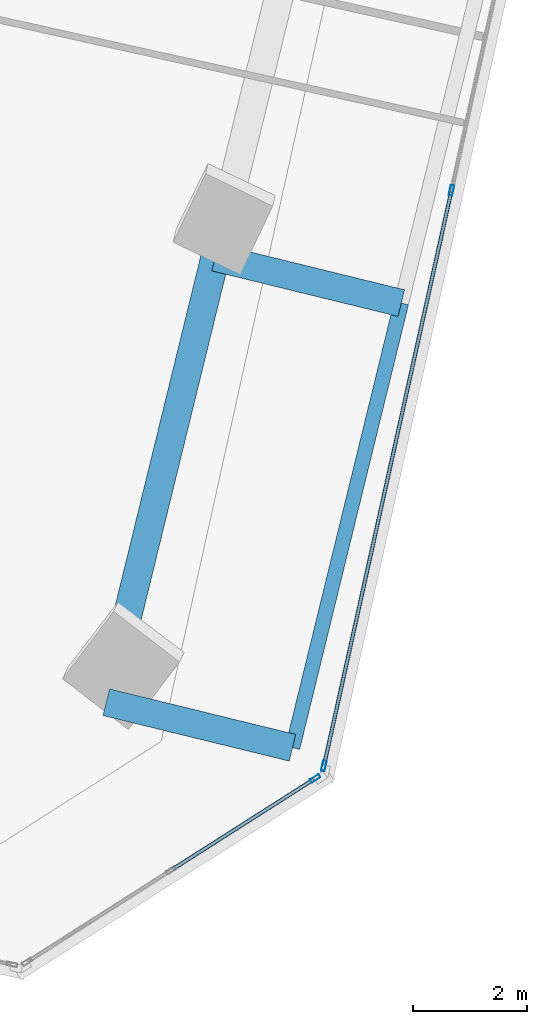
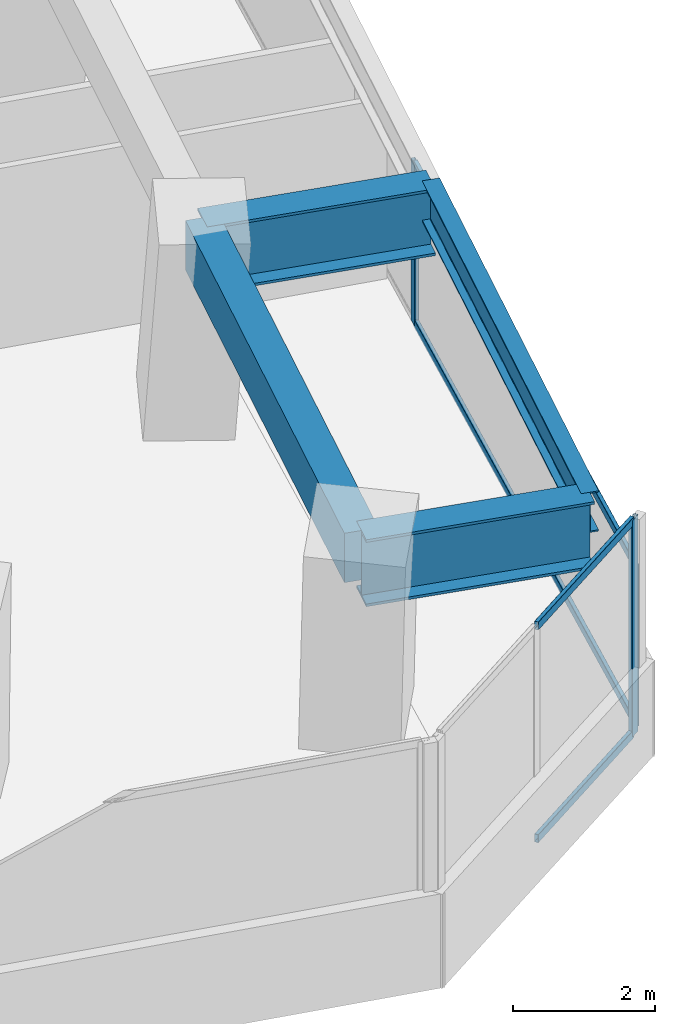
# One storey, part 10 of 25: 7 members, 4 beams, 2 elements without a shape of their own.
"""IFC4 building model written with IfcOpenShell, lengths in metres."""

from ifc_helpers import new_model, si_unit, direction, frame, origin, origin_2d, place, context, subcontext, project, spatial, rectangle, hollow_rectangle, i_section, extrude, source, transform, mapped, material, material_profile, profile_set, type_object, element, aggregate, save


model = new_model("IFC4")

# Units and contexts
model_context = context("Model", 3, precision=1e-05, world=origin(), true_north=direction((0.0, 1.0)))
body_context = subcontext(model_context, "Body", "Model", "MODEL_VIEW")
ifc_project = project(units=[si_unit("LENGTHUNIT", "METRE"), si_unit("AREAUNIT", "SQUARE_METRE"), si_unit("VOLUMEUNIT", "CUBIC_METRE"), si_unit("PLANEANGLEUNIT", "RADIAN"), si_unit("MASSUNIT", "GRAM", prefix="KILO")], contexts=[model_context])

# Site, building, storey
site_placement = place(None, origin())
site = spatial("IfcSite", under=ifc_project, at=site_placement, CompositionType="ELEMENT")
building_placement = place(site_placement, origin())
building = spatial("IfcBuilding", under=site, at=building_placement, Name="Torre Montelarca", CompositionType="ELEMENT")
storey_placement = place(building_placement, frame((0.0, 0.0, 91.60009765625)))
storey = spatial("IfcBuildingStorey", under=building, at=storey_placement, Name="L20", CompositionType="ELEMENT", Elevation=91.60009765625)

# Beams
ifc_material_1 = material(Name="Concrete C55/67", Category="concrete")
ifc_material_profile_1 = material_profile(ifc_material_1, rectangle(XDim=0.5, YDim=0.85009765625, at=origin_2d()), Name="RCB500X850", Category="concrete")
ifc_profile_set_1 = profile_set([ifc_material_profile_1], Name="Concrete C55/67")
beam_type_1 = type_object("IfcBeamType", Name="BM-SP-RC850-EXT", PredefinedType="SPANDREL", material=ifc_profile_set_1)
shared_shape_1 = source(origin(), body_context, "Body", "SweptSolid", [
    extrude(rectangle(XDim=0.5, YDim=0.85009765625, at=origin_2d()), origin(), (0.0, 0.0, 1.0), 8.0),
])
beam_1_placement = place(storey_placement, frame((56.9951171875, 15.078369140625, 3.534912109375), z_axis=(0.237700094629, 0.971338594422, 0.0), x_axis=(-0.971338594422, 0.237700094629, 0.0)))
element("IfcBeam", 1, at=beam_1_placement, inside=storey, type_object=beam_type_1, Name="L20 Grid Girder Y 24.0-32.0 at X=60.0", PredefinedType="SPANDREL", context=body_context, shape_type="MappedRepresentation", body=[
    mapped(shared_shape_1, transform((0.0, 0.0, 0.0), scale=1.0)),
])
ifc_material_2 = material(Name="Steel ASTM A572 Grade 50", Category="steel")
ifc_material_profile_2 = material_profile(ifc_material_2, i_section(OverallWidth=0.47998046875, OverallDepth=1.14990234375, WebThickness=0.02197265625, FlangeThickness=0.044921875, at=origin_2d()), Name="PG1150X480X22X45", Category="steel")
ifc_profile_set_2 = profile_set([ifc_material_profile_2], Name="Steel ASTM A572 Grade 50")
beam_type_2 = type_object("IfcBeamType", Name="BM-CG-PG1400-EXT", PredefinedType="USERDEFINED", material=ifc_profile_set_2)
shared_shape_2 = source(origin(), body_context, "Body", "SweptSolid", [
    extrude(i_section(OverallWidth=0.47998046875, OverallDepth=1.14990234375, WebThickness=0.02197265625, FlangeThickness=0.044921875, at=origin_2d()), origin(), (0.0, 0.0, 1.0), 3.349853515625),
])
beam_2_placement = place(storey_placement, frame((58.896728515625, 22.84912109375, 3.385009765625), z_axis=(0.971330977998, -0.237731216254, 0.0), x_axis=(0.237731216254, 0.971330977998, 0.0)))
element("IfcBeam", 2, at=beam_2_placement, inside=storey, type_object=beam_type_2, Name="L20 Sliding Tray Cantilever Girder East Y=32m (FLR)", ObjectType="CANTILEVER GIRDER", PredefinedType="USERDEFINED", context=body_context, shape_type="MappedRepresentation", body=[
    mapped(shared_shape_2, transform((0.0, 0.0, 0.0), scale=1.0)),
])
shared_shape_3 = source(origin(), body_context, "Body", "SweptSolid", [
    extrude(i_section(OverallWidth=0.47998046875, OverallDepth=1.14990234375, WebThickness=0.02197265625, FlangeThickness=0.044921875, at=origin_2d()), origin(), (0.0, 0.0, 1.0), 3.35009765625),
])
beam_3_placement = place(storey_placement, frame((56.9951171875, 15.078369140625, 3.385009765625), z_axis=(0.971335096398, -0.23771438851, 0.0), x_axis=(0.23771438851, 0.971335096398, 0.0)))
element("IfcBeam", 3, at=beam_3_placement, inside=storey, type_object=beam_type_2, Name="L20 Sliding Tray Cantilever Girder East Y=24m (FLR)", ObjectType="CANTILEVER GIRDER", PredefinedType="USERDEFINED", context=body_context, shape_type="MappedRepresentation", body=[
    mapped(shared_shape_3, transform((0.0, 0.0, 0.0), scale=1.0)),
])
ifc_material_3 = material(Name="Steel ASTM A992 Grade 50", Category="steel")
ifc_material_profile_3 = material_profile(ifc_material_3, i_section(OverallWidth=0.256103515625, OverallDepth=0.693115234375, WebThickness=0.014404296875, FlangeThickness=0.023681640625, FilletRadius=0.01806640625, at=origin_2d()), Name="W690X170", Category="steel")
ifc_profile_set_3 = profile_set([ifc_material_profile_3], Name="Steel ASTM A992 Grade 50")
beam_type_3 = type_object("IfcBeamType", Name="BM-G-W690-EXT", PredefinedType="BEAM", material=ifc_profile_set_3)
shared_shape_4 = source(origin(), body_context, "Body", "SweptSolid", [
    extrude(i_section(OverallWidth=0.256103515625, OverallDepth=0.693115234375, WebThickness=0.014404296875, FlangeThickness=0.023681640625, FilletRadius=0.01806640625, at=origin_2d()), origin(), (0.0, 0.0, 1.0), 8.0),
])
beam_4_placement = place(storey_placement, frame((60.249267578125, 14.281982421875, 3.614013671875), z_axis=(0.237671301182, 0.971345640127, 0.0), x_axis=(-0.971345640127, 0.237671301182, 0.0)))
element("IfcBeam", 4, at=beam_4_placement, inside=storey, type_object=beam_type_3, Name="L20 Sliding Tray Edge Girder East 24-32m (FLR)", PredefinedType="BEAM", context=body_context, shape_type="MappedRepresentation", body=[
    mapped(shared_shape_4, transform((0.0, 0.0, 0.0), scale=1.0)),
])

# Curtain wall, members
ifc_material_4 = material(Name="Insulated low-E laminated glass", Category="glass")
curtain_wall_type = type_object("IfcCurtainWallType", Name="CW-SYS-Z1", PredefinedType="USERDEFINED", material=ifc_material_4)
curtain_wall_1_placement = place(storey_placement, origin())
curtain_wall_1 = element("IfcCurtainWall", 5, at=curtain_wall_1_placement, inside=storey, type_object=curtain_wall_type, Name="L20 Curtain Wall Run CW-T3-L20-E05-B1", ObjectType="UNITISED GLAZING", PredefinedType="USERDEFINED")
ifc_material_5 = material(Name="Anodised aluminium AA 6063-T6", Category="aluminium")
ifc_material_profile_4 = material_profile(ifc_material_5, hollow_rectangle(XDim=0.06494140625, YDim=0.139892578125, WallThickness=0.00390625, InnerFilletRadius=0.00390625, OuterFilletRadius=0.008056640625, at=origin_2d()), Name="ALU65X140X4", Category="aluminium")
ifc_profile_set_4 = profile_set([ifc_material_profile_4], Name="Anodised aluminium AA 6063-T6")
member_type_1 = type_object("IfcMemberType", Name="CWT-ALU140", PredefinedType="USERDEFINED", material=ifc_profile_set_4)
shared_shape_5 = source(origin(), body_context, "Body", "SweptSolid", [
    extrude(hollow_rectangle(XDim=0.06494140625, YDim=0.139892578125, WallThickness=0.00390625, InnerFilletRadius=0.00390625, OuterFilletRadius=0.008056640625, at=origin_2d()), origin(), (0.0, 0.0, 1.0), 2.918701171875),
])
member_1_placement = place(storey_placement, frame((58.156005859375, 12.160888671875, 0.032470703125), z_axis=(0.843413408768, 0.537265131857, 0.0), x_axis=(-0.537265131857, 0.843413408768, 0.0)))
member_1 = element("IfcMember", 6, at=member_1_placement, type_object=member_type_1, Name="CW transom 2.1", ObjectType="TRANSOM", PredefinedType="USERDEFINED", context=body_context, shape_type="MappedRepresentation", body=[
    mapped(shared_shape_5, transform((0.0, 0.0, 0.0), scale=1.0)),
])
member_2_placement = place(storey_placement, frame((58.156005859375, 12.160888671875, 3.6875), z_axis=(0.843413408768, 0.537265131857, 0.0), x_axis=(-0.537265131857, 0.843413408768, 0.0)))
member_2 = element("IfcMember", 7, at=member_2_placement, type_object=member_type_1, Name="CW transom 2.2", ObjectType="TRANSOM", PredefinedType="USERDEFINED", context=body_context, shape_type="MappedRepresentation", body=[
    mapped(shared_shape_5, transform((0.0, 0.0, 0.0), scale=1.0)),
])

curtain_wall_2_placement = place(storey_placement, origin())
curtain_wall_2 = element("IfcCurtainWall", 8, at=curtain_wall_2_placement, inside=storey, type_object=curtain_wall_type, Name="L20 Curtain Wall Run CW-T3-L20-E06-B1", ObjectType="UNITISED GLAZING", PredefinedType="USERDEFINED")
shared_shape_6 = source(origin(), body_context, "Body", "SweptSolid", [
    extrude(hollow_rectangle(XDim=0.06494140625, YDim=0.139892578125, WallThickness=0.00390625, InnerFilletRadius=0.00390625, OuterFilletRadius=0.008056640625, at=origin_2d()), origin(), (0.0, 0.0, 1.0), 10.23681640625),
])
member_3_placement = place(storey_placement, frame((60.80517578125, 13.996826171875, 0.032470703125), z_axis=(0.216432960018, 0.976297482235, 0.0), x_axis=(-0.976297482235, 0.216432960018, 0.0)))
member_3 = element("IfcMember", 9, at=member_3_placement, type_object=member_type_1, Name="CW transom 1.1", ObjectType="TRANSOM", PredefinedType="USERDEFINED", context=body_context, shape_type="MappedRepresentation", body=[
    mapped(shared_shape_6, transform((0.0, 0.0, 0.0), scale=1.0)),
])
member_4_placement = place(storey_placement, frame((60.80517578125, 13.996826171875, 2.742431640625), z_axis=(0.216432960018, 0.976297482235, 0.0), x_axis=(-0.976297482235, 0.216432960018, 0.0)))
member_4 = element("IfcMember", 10, at=member_4_placement, type_object=member_type_1, Name="CW transom 1.2", ObjectType="TRANSOM", PredefinedType="USERDEFINED", context=body_context, shape_type="MappedRepresentation", body=[
    mapped(shared_shape_6, transform((0.0, 0.0, 0.0), scale=1.0)),
])

# Member
ifc_material_profile_5 = material_profile(ifc_material_5, hollow_rectangle(XDim=0.06494140625, YDim=0.179931640625, WallThickness=0.00390625, InnerFilletRadius=0.00390625, OuterFilletRadius=0.008056640625, at=origin_2d()), Name="ALU65X180X4", Category="aluminium")
ifc_profile_set_5 = profile_set([ifc_material_profile_5], Name="Anodised aluminium AA 6063-T6")
member_type_2 = type_object("IfcMemberType", Name="CWM-ALU180", PredefinedType="MULLION", material=ifc_profile_set_5)
shared_shape_7 = source(origin(), body_context, "Body", "SweptSolid", [
    extrude(hollow_rectangle(XDim=0.06494140625, YDim=0.179931640625, WallThickness=0.00390625, InnerFilletRadius=0.00390625, OuterFilletRadius=0.008056640625, at=origin_2d()), origin(), (0.0, 0.0, 1.0), 3.719970703125),
])
member_5_placement = place(storey_placement, frame((60.64501953125, 13.74658203125, 0.0), z_axis=(0.0, 0.0, 1.0), x_axis=(-0.537304483117, 0.843388340222, 0.0)))
member_5 = element("IfcMember", 11, at=member_5_placement, type_object=member_type_2, Name="CW mullion 3", PredefinedType="MULLION", context=body_context, shape_type="MappedRepresentation", body=[
    mapped(shared_shape_7, transform((0.0, 0.0, 0.0), scale=1.0)),
])

aggregate(curtain_wall_1, [member_5, member_1, member_2])

shared_shape_8 = source(origin(), body_context, "Body", "SweptSolid", [
    extrude(hollow_rectangle(XDim=0.06494140625, YDim=0.179931640625, WallThickness=0.00390625, InnerFilletRadius=0.00390625, OuterFilletRadius=0.008056640625, at=origin_2d()), origin(), (0.0, 0.0, 1.0), 2.77490234375),
])
member_6_placement = place(storey_placement, frame((60.798095703125, 13.965087890625, 0.0), z_axis=(0.0, 0.0, 1.0), x_axis=(-0.976295656956, 0.216441193422, 0.0)))
member_6 = element("IfcMember", 12, at=member_6_placement, type_object=member_type_2, Name="CW mullion 1", PredefinedType="MULLION", context=body_context, shape_type="MappedRepresentation", body=[
    mapped(shared_shape_8, transform((0.0, 0.0, 0.0), scale=1.0)),
])

member_7_placement = place(storey_placement, frame((63.02783203125, 24.022705078125, 0.0), z_axis=(0.0, 0.0, 1.0), x_axis=(-0.976295656956, 0.216441193422, 0.0)))
member_7 = element("IfcMember", 13, at=member_7_placement, type_object=member_type_2, Name="CW mullion 2", PredefinedType="MULLION", context=body_context, shape_type="MappedRepresentation", body=[
    mapped(shared_shape_8, transform((0.0, 0.0, 0.0), scale=1.0)),
])

aggregate(curtain_wall_2, [member_6, member_7, member_3, member_4])

save(model, "model.ifc")
